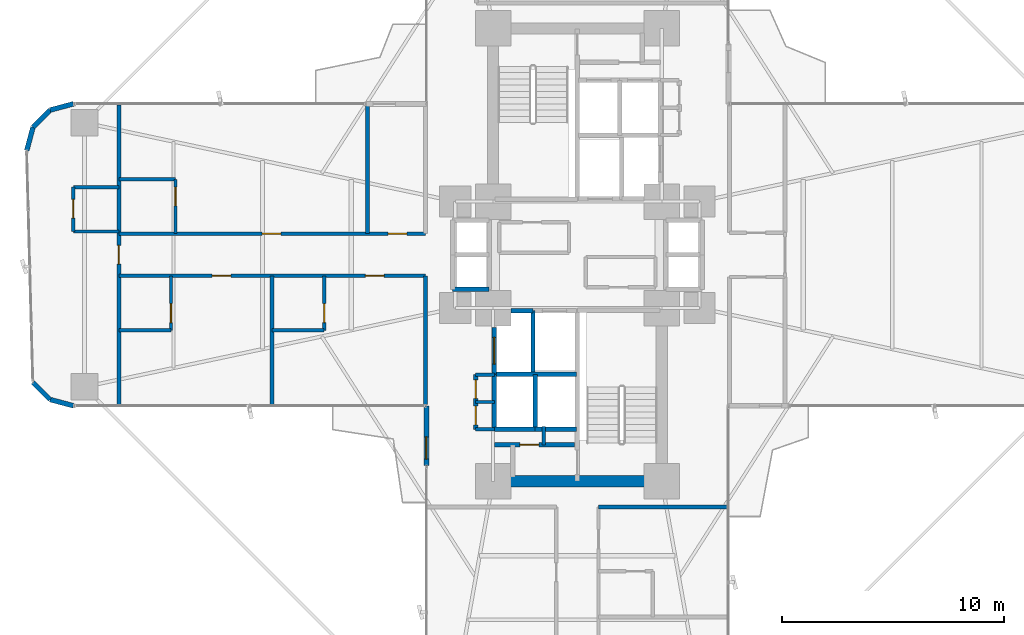
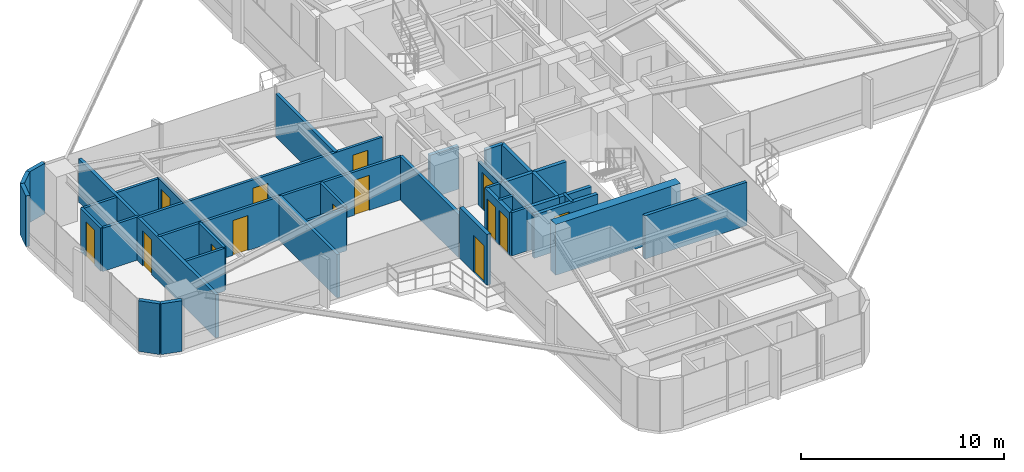
# One storey, part 22 of 26: 38 walls, 14 doors, 14 openings.
"""IFC4 building model written with IfcOpenShell, lengths in metres."""

from ifc_helpers import new_model, si_unit, direction, frame, frame_2d, origin, origin_2d, place, context, subcontext, project, spatial, rectangle, extrude, source, transform, mapped, material, layer, layer_set, type_object, element, fill, save


model = new_model("IFC4")

# Units and contexts
model_context = context("Model", 3, precision=1e-05, world=origin(), true_north=direction((0.0, 1.0)))
body_context = subcontext(model_context, "Body", "Model", "MODEL_VIEW")
ifc_project = project(units=[si_unit("LENGTHUNIT", "METRE"), si_unit("AREAUNIT", "SQUARE_METRE"), si_unit("VOLUMEUNIT", "CUBIC_METRE"), si_unit("PLANEANGLEUNIT", "RADIAN"), si_unit("MASSUNIT", "GRAM", prefix="KILO")], contexts=[model_context])

# Site, building, storey
site_placement = place(None, origin())
site = spatial("IfcSite", under=ifc_project, at=site_placement, CompositionType="ELEMENT")
building_placement = place(site_placement, origin())
building = spatial("IfcBuilding", under=site, at=building_placement, Name="Sahyath Konkavel Grand Hotel", CompositionType="ELEMENT")
storey_placement = place(building_placement, frame((0.0, 0.0, 43.199951171875)))
storey = spatial("IfcBuildingStorey", under=building, at=storey_placement, Name="L11", CompositionType="ELEMENT", Elevation=43.199951171875)

# Walls
ifc_material_1 = material(Name="Concrete C70/85", Category="concrete")
ifc_layer_1 = layer(ifc_material_1, 0.5)
ifc_layer_set_1 = layer_set([ifc_layer_1], Name="Concrete C70/85")
wall_type_1 = type_object("IfcWallType", Name="CWALL-500", PredefinedType="SHEAR", material=ifc_layer_set_1)
wall_1_placement = place(storey_placement, frame((-3.550048828125, -10.199951171875, 0.0), z_axis=(0.0, 0.0, 1.0), x_axis=(1.0, 0.0, 0.0)))
element("IfcWall", 1, at=wall_1_placement, inside=storey, type_object=wall_type_1, Name="L11 South Core Shear Wall S", PredefinedType="SHEAR", context=body_context, shape_type="SweptSolid", body=[
    extrude(rectangle(XDim=7.10009765625, YDim=0.5, at=frame_2d((3.550048828125, 0.0))), origin(), (0.0, 0.0, 1.0), 3.050048828125),
])
ifc_material_2 = material(Name="Warm Buff Sandstone Insulated Concrete C40/50", Category="masonry")
ifc_layer_2 = layer(ifc_material_2, 0.219970703125)
ifc_layer_set_2 = layer_set([ifc_layer_2], Name="Warm Buff Sandstone Insulated Concrete C40/50")
wall_type_2 = type_object("IfcWallType", Name="WLL-BALC-THRESH", PredefinedType="STANDARD", material=ifc_layer_set_2)
for number, where, z_axis, x_axis, name in (
    (2, (-22.699951171875, 6.800048828125, 0.0), (0.0, 0.0, 1.0), (-0.965951058412, -0.25872485917, 0.0), "L11 Rounded Corner Sandstone Pier 17"),
    (3, (-23.75, 6.518798828125, 0.0), (0.0, 0.0, 1.0), (-0.707106781187, -0.707106781187, 0.0), "L11 Rounded Corner Sandstone Pier 18"),
    (4, (-24.518798828125, 5.75, 0.0), (0.0, 0.0, 1.0), (-0.25872485917, -0.965951058412, 0.0), "L11 Rounded Corner Sandstone Pier 19"),
    (5, (-24.518798828125, -5.75, 0.0), (0.0, 0.0, 1.0), (0.707106781187, -0.707106781187, 0.0), "L11 Rounded Corner Sandstone Pier 21"),
    (6, (-23.75, -6.518798828125, 0.0), (0.0, 0.0, 1.0), (0.965951058412, -0.25872485917, 0.0), "L11 Rounded Corner Sandstone Pier 22"),
):
    element("IfcWall", number, at=place(storey_placement, frame(where, z_axis=z_axis, x_axis=x_axis)), inside=storey, type_object=wall_type_2, Name=name, PredefinedType="STANDARD", context=body_context, shape_type="SweptSolid", body=[
        extrude(rectangle(XDim=1.087158203125, YDim=0.219970703125, at=frame_2d((0.54345703125, 0.0))), origin(), (0.0, 0.0, 1.0), 3.050048828125),
    ])

# Wall, opening, door
wall_2_placement = place(storey_placement, frame((-6.800048828125, -6.800048828125, 0.0), z_axis=(0.0, 0.0, 1.0), x_axis=(0.0, -1.0, 0.0)))
wall_2 = element("IfcWall", 7, at=wall_2_placement, inside=storey, type_object=wall_type_2, Name="L11 Winter-Garden Threshold Wall 24", PredefinedType="STANDARD", context=body_context, shape_type="SweptSolid", body=[
    extrude(rectangle(XDim=2.699951171875, YDim=0.219970703125, at=frame_2d((1.35009765625, 0.0))), origin(), (0.0, 0.0, 1.0), 3.050048828125),
])
opening_1_placement = place(wall_2_placement, frame((1.39990234375, 0.0, 0.0)))
opening_1 = element("IfcOpeningElement", 8, at=opening_1_placement, cuts=wall_2, Name="Opening D-TR1", PredefinedType="OPENING", context=body_context, shape_type="SweptSolid", body=[
    extrude(rectangle(XDim=1.0, YDim=2.199951171875, at=frame_2d((0.5, 1.10009765625))), frame((0.0, 0.1201171875, 0.0), z_axis=(0.0, -1.0, 0.0), x_axis=(1.0, 0.0, 0.0)), (0.0, 0.0, 1.0), 0.239990234375),
])
ifc_material_3 = material(Name="Anodised Bronze Aluminium & Low-E Glazing", Category="aluminium")
door_type_1 = type_object("IfcDoorType", Name="DR-TERRACE-1000", OperationType="NOTDEFINED", PredefinedType="DOOR", material=ifc_material_3)
shared_shape_1 = source(origin(), body_context, "Body", "SweptSolid", [
    extrude(rectangle(XDim=1.0, YDim=0.050048828125, at=origin_2d()), origin(), (0.0, 0.0, 1.0), 2.199951171875),
])
door_1_placement = place(opening_1_placement, frame((0.5, 0.0, 0.0)))
door_1 = element("IfcDoor", 9, at=door_1_placement, inside=storey, type_object=door_type_1, Name="L11 Winter-Garden Terrace Door 24", OperationType="SINGLE_SWING_LEFT", OverallHeight=2.199951171875, OverallWidth=1.0, PredefinedType="DOOR", context=body_context, shape_type="MappedRepresentation", body=[
    mapped(shared_shape_1, transform((0.0, 0.0, 0.0), scale=1.0)),
])
fill(opening_1, door_1)

# Walls
ifc_material_4 = material(Name="Concrete C40/50", Category="concrete")
ifc_layer_3 = layer(ifc_material_4, 0.199951171875)
ifc_layer_set_3 = layer_set([ifc_layer_3], Name="Concrete C40/50")
wall_type_3 = type_object("IfcWallType", Name="WLL-CORE-200", PredefinedType="SOLIDWALL", material=ifc_layer_set_3)
wall_3_placement = place(storey_placement, frame((-2.0, -5.280029296875, 0.0), z_axis=(0.0, 0.0, 1.0), x_axis=(0.0, 1.0, 0.0)))
element("IfcWall", 10, at=wall_3_placement, inside=storey, type_object=wall_type_3, Name="L11 Partition SH-FFL2-W", PredefinedType="SOLIDWALL", context=body_context, shape_type="SweptSolid", body=[
    extrude(rectangle(XDim=2.780029296875, YDim=0.199951171875, at=frame_2d((1.39013671875, 0.0))), origin(), (0.0, 0.0, 1.0), 2.60009765625),
])
wall_4_placement = place(storey_placement, frame((-3.0, -2.52001953125, 0.0), z_axis=(0.0, 0.0, 1.0), x_axis=(1.0, 0.0, 0.0)))
element("IfcWall", 11, at=wall_4_placement, inside=storey, type_object=wall_type_3, Name="L11 Partition SH-SVL2-N", PredefinedType="SOLIDWALL", context=body_context, shape_type="SweptSolid", body=[
    extrude(rectangle(XDim=1.0, YDim=0.199951171875, at=frame_2d((0.5, 0.0))), origin(), (0.0, 0.0, 1.0), 2.60009765625),
])

# Wall, opening, door
wall_5_placement = place(storey_placement, frame((-3.739990234375, -5.360107421875, 0.0), z_axis=(0.0, 0.0, 1.0), x_axis=(0.0, 1.0, 0.0)))
wall_5 = element("IfcWall", 12, at=wall_5_placement, inside=storey, type_object=wall_type_3, Name="L11 Partition SH-SVL2-W", PredefinedType="SOLIDWALL", context=body_context, shape_type="SweptSolid", body=[
    extrude(rectangle(XDim=2.080078125, YDim=0.199951171875, at=frame_2d((1.0400390625, 0.0))), origin(), (0.0, 0.0, 1.0), 2.60009765625),
])
opening_2_placement = place(wall_5_placement, frame((0.43994140625, 0.0, 0.0)))
opening_2 = element("IfcOpeningElement", 13, at=opening_2_placement, cuts=wall_5, Name="Opening LD-12", PredefinedType="OPENING", context=body_context, shape_type="SweptSolid", body=[
    extrude(rectangle(XDim=1.199951171875, YDim=2.199951171875, at=frame_2d((0.60009765625, 1.10009765625))), frame((0.0, 0.10986328125, 0.0), z_axis=(0.0, -1.0, 0.0), x_axis=(1.0, 0.0, 0.0)), (0.0, 0.0, 1.0), 0.219970703125),
])
ifc_material_5 = material(Name="Stainless Steel Lift Landing Door 1200", Category="steel")
door_type_2 = type_object("IfcDoorType", Name="DR-LIFT-1200", OperationType="DOUBLE_DOOR_SLIDING", PredefinedType="DOOR", material=ifc_material_5)
shared_shape_2 = source(origin(), body_context, "Body", "SweptSolid", [
    extrude(rectangle(XDim=1.199951171875, YDim=0.050048828125, at=origin_2d()), origin(), (0.0, 0.0, 1.0), 2.199951171875),
])
door_2_placement = place(opening_2_placement, frame((0.60009765625, 0.0, 0.0)))
door_2 = element("IfcDoor", 14, at=door_2_placement, inside=storey, type_object=door_type_2, Name="L11 Service Lift SVL-2 Landing Door", OperationType="DOUBLE_DOOR_SLIDING", OverallHeight=2.199951171875, OverallWidth=1.199951171875, PredefinedType="DOOR", context=body_context, shape_type="MappedRepresentation", body=[
    mapped(shared_shape_2, transform((0.0, 0.0, 0.0), scale=1.0)),
])
fill(opening_2, door_2)

# Walls
wall_6_placement = place(storey_placement, frame((-3.739990234375, -7.860107421875, 0.0), z_axis=(0.0, 0.0, 1.0), x_axis=(0.0, 1.0, 0.0)))
element("IfcWall", 15, at=wall_6_placement, inside=storey, type_object=wall_type_3, Name="L11 Partition SH-PL3-W", PredefinedType="SOLIDWALL", context=body_context, shape_type="SweptSolid", body=[
    extrude(rectangle(XDim=2.480224609375, YDim=0.199951171875, at=frame_2d((1.240234375, 0.0))), origin(), (0.0, 0.0, 1.0), 2.60009765625),
])
wall_7_placement = place(storey_placement, frame((-3.739990234375, -7.860107421875, 0.0), z_axis=(0.0, 0.0, 1.0), x_axis=(1.0, 0.0, 0.0)))
element("IfcWall", 16, at=wall_7_placement, inside=storey, type_object=wall_type_3, Name="L11 Partition SH-PL3-S", PredefinedType="SOLIDWALL", context=body_context, shape_type="SweptSolid", body=[
    extrude(rectangle(XDim=1.840087890625, YDim=0.199951171875, at=frame_2d((0.919921875, 0.0))), origin(), (0.0, 0.0, 1.0), 2.60009765625),
])
wall_8_placement = place(storey_placement, frame((-3.739990234375, -5.3798828125, 0.0), z_axis=(0.0, 0.0, 1.0), x_axis=(1.0, 0.0, 0.0)))
element("IfcWall", 17, at=wall_8_placement, inside=storey, type_object=wall_type_3, Name="L11 Partition SH-PL34-N", PredefinedType="SOLIDWALL", context=body_context, shape_type="SweptSolid", body=[
    extrude(rectangle(XDim=3.68994140625, YDim=0.199951171875, at=frame_2d((1.844970703125, 0.0))), origin(), (0.0, 0.0, 1.0), 2.60009765625),
])
wall_9_placement = place(storey_placement, frame((-1.89990234375, -7.860107421875, 0.0), z_axis=(0.0, 0.0, 1.0), x_axis=(0.0, 1.0, 0.0)))
element("IfcWall", 18, at=wall_9_placement, inside=storey, type_object=wall_type_3, Name="L11 Partition SH-PL34-M", PredefinedType="SOLIDWALL", context=body_context, shape_type="SweptSolid", body=[
    extrude(rectangle(XDim=2.480224609375, YDim=0.199951171875, at=frame_2d((1.240234375, 0.0))), origin(), (0.0, 0.0, 1.0), 2.60009765625),
])
wall_10_placement = place(storey_placement, frame((-1.89990234375, -7.860107421875, 0.0), z_axis=(0.0, 0.0, 1.0), x_axis=(1.0, 0.0, 0.0)))
element("IfcWall", 19, at=wall_10_placement, inside=storey, type_object=wall_type_3, Name="L11 Partition SH-PL4-S", PredefinedType="SOLIDWALL", context=body_context, shape_type="SweptSolid", body=[
    extrude(rectangle(XDim=1.849853515625, YDim=0.199951171875, at=frame_2d((0.9248046875, 0.0))), origin(), (0.0, 0.0, 1.0), 2.60009765625),
])
wall_11_placement = place(storey_placement, frame((-5.6201171875, -1.56005859375, 0.0), z_axis=(0.0, 0.0, 1.0), x_axis=(1.0, 0.0, 0.0)))
element("IfcWall", 20, at=wall_11_placement, inside=storey, type_object=wall_type_3, Name="L11 Partition SH-SL12-S", PredefinedType="SOLIDWALL", context=body_context, shape_type="SweptSolid", body=[
    extrude(rectangle(XDim=1.64013671875, YDim=0.199951171875, at=frame_2d((0.820068359375, 0.0))), origin(), (0.0, 0.0, 1.0), 2.60009765625),
])

# Wall, opening, door
wall_12_placement = place(storey_placement, frame((-3.739990234375, -8.56005859375, 0.0), z_axis=(0.0, 0.0, 1.0), x_axis=(1.0, 0.0, 0.0)))
wall_12 = element("IfcWall", 21, at=wall_12_placement, inside=storey, type_object=wall_type_3, Name="L11 South FF Lobby Separation Wall", PredefinedType="SOLIDWALL", context=body_context, shape_type="SweptSolid", body=[
    extrude(rectangle(XDim=3.619873046875, YDim=0.199951171875, at=frame_2d((1.81005859375, 0.0))), origin(), (0.0, 0.0, 1.0), 2.60009765625),
])
opening_3_placement = place(wall_12_placement, frame((1.14990234375, 0.0, 0.0)))
opening_3 = element("IfcOpeningElement", 22, at=opening_3_placement, cuts=wall_12, Name="Opening D-F12D", PredefinedType="OPENING", context=body_context, shape_type="SweptSolid", body=[
    extrude(rectangle(XDim=0.85009765625, YDim=2.10009765625, at=frame_2d((0.425048828125, 1.050048828125))), frame((0.0, 0.10986328125, 0.0), z_axis=(0.0, -1.0, 0.0), x_axis=(1.0, 0.0, 0.0)), (0.0, 0.0, 1.0), 0.219970703125),
])
ifc_material_6 = material(Name="Steel E350 Core Fire Door", Category="steel")
door_type_3 = type_object("IfcDoorType", Name="DR-FD120-850", OperationType="NOTDEFINED", PredefinedType="DOOR", material=ifc_material_6)
shared_shape_3 = source(origin(), body_context, "Body", "SweptSolid", [
    extrude(rectangle(XDim=0.85009765625, YDim=0.050048828125, at=origin_2d()), origin(), (0.0, 0.0, 1.0), 2.10009765625),
])
door_3_placement = place(opening_3_placement, frame((0.425048828125, 0.0, 0.0)))
door_3 = element("IfcDoor", 23, at=door_3_placement, inside=storey, type_object=door_type_3, Name="L11 South Firefighting Lobby Door", OperationType="SINGLE_SWING_RIGHT", OverallHeight=2.10009765625, OverallWidth=0.85009765625, PredefinedType="DOOR", context=body_context, shape_type="MappedRepresentation", body=[
    mapped(shared_shape_3, transform((0.0, 0.0, 0.0), scale=1.0)),
])
fill(opening_3, door_3)

# Wall, openings, doors
wall_13_placement = place(storey_placement, frame((-4.580078125, -7.860107421875, 0.0), z_axis=(0.0, 0.0, 1.0), x_axis=(0.0, 1.0, 0.0)))
wall_13 = element("IfcWall", 24, at=wall_13_placement, inside=storey, type_object=wall_type_3, Name="L11 Partition SC-FLK-W", PredefinedType="SOLIDWALL", context=body_context, shape_type="SweptSolid", body=[
    extrude(rectangle(XDim=2.460205078125, YDim=0.199951171875, at=frame_2d((1.22998046875, 0.0))), origin(), (0.0, 0.0, 1.0), 2.60009765625),
])
opening_4_placement = place(wall_13_placement, frame((0.199951171875, 0.0, 0.0)))
opening_4 = element("IfcOpeningElement", 25, at=opening_4_placement, cuts=wall_13, Name="Opening D-F06D", PredefinedType="OPENING", context=body_context, shape_type="SweptSolid", body=[
    extrude(rectangle(XDim=0.85009765625, YDim=2.10009765625, at=frame_2d((0.425048828125, 1.050048828125))), frame((0.0, 0.10986328125, 0.0), z_axis=(0.0, -1.0, 0.0), x_axis=(1.0, 0.0, 0.0)), (0.0, 0.0, 1.0), 0.219970703125),
])
opening_5_placement = place(wall_13_placement, frame((1.3798828125, 0.0, 0.0)))
opening_5 = element("IfcOpeningElement", 26, at=opening_5_placement, cuts=wall_13, Name="Opening D-F06D", PredefinedType="OPENING", context=body_context, shape_type="SweptSolid", body=[
    extrude(rectangle(XDim=0.85009765625, YDim=2.10009765625, at=frame_2d((0.425048828125, 1.050048828125))), frame((0.0, 0.10986328125, 0.0), z_axis=(0.0, -1.0, 0.0), x_axis=(1.0, 0.0, 0.0)), (0.0, 0.0, 1.0), 0.219970703125),
])
ifc_material_7 = material(Name="Fire-Rated Shaft Access Door")
door_type_4 = type_object("IfcDoorType", Name="DR-FD60-850", OperationType="NOTDEFINED", PredefinedType="DOOR", material=ifc_material_7)
door_4_placement = place(opening_4_placement, frame((0.425048828125, 0.0, 0.0)))
door_4 = element("IfcDoor", 27, at=door_4_placement, inside=storey, type_object=door_type_4, Name="L11 Door SC-FLK1-D", OperationType="SINGLE_SWING_RIGHT", OverallHeight=2.10009765625, OverallWidth=0.85009765625, PredefinedType="DOOR", context=body_context, shape_type="MappedRepresentation", body=[
    mapped(shared_shape_3, transform((0.0, 0.0, 0.0), scale=1.0)),
])
fill(opening_4, door_4)
door_5_placement = place(opening_5_placement, frame((0.425048828125, 0.0, 0.0)))
door_5 = element("IfcDoor", 28, at=door_5_placement, inside=storey, type_object=door_type_4, Name="L11 Door SC-FLK2-D", OperationType="SINGLE_SWING_LEFT", OverallHeight=2.10009765625, OverallWidth=0.85009765625, PredefinedType="DOOR", context=body_context, shape_type="MappedRepresentation", body=[
    mapped(shared_shape_3, transform((0.0, 0.0, 0.0), scale=1.0)),
])
fill(opening_5, door_5)

# Walls
ifc_material_8 = material(Name="Twin-Stud Acoustic Gypsum Plasterboard Partition")
ifc_layer_4 = layer(ifc_material_8, 0.179931640625)
ifc_layer_set_4 = layer_set([ifc_layer_4], Name="Twin-Stud Acoustic Gypsum Plasterboard Partition")
wall_type_4 = type_object("IfcWallType", Name="WLL-DEMISE-180", PredefinedType="PARTITIONING", material=ifc_layer_set_4)
for number, where, z_axis, x_axis, name in (
    (29, (-6.85009765625, -0.949951171875, 0.0), (0.0, 0.0, 1.0), (0.0, -1.0, 0.0), "L11 Partition W-INL"),
    (30, (-13.75, -0.949951171875, 0.0), (0.0, 0.0, 1.0), (0.0, -1.0, 0.0), "L11 Partition W-W4L1-DEM"),
    (31, (-9.449951171875, 0.949951171875, 0.0), (0.0, 0.0, 1.0), (0.0, 1.0, 0.0), "L11 Partition W-WHK-DEM"),
):
    element("IfcWall", number, at=place(storey_placement, frame(where, z_axis=z_axis, x_axis=x_axis)), inside=storey, type_object=wall_type_4, Name=name, PredefinedType="PARTITIONING", context=body_context, shape_type="SweptSolid", body=[
        extrude(rectangle(XDim=5.800048828125, YDim=0.179931640625, at=frame_2d((2.89990234375, 0.0))), origin(), (0.0, 0.0, 1.0), 2.60009765625),
    ])

# Wall, opening, door
wall_14_placement = place(storey_placement, frame((-20.64990234375, 6.75, 0.0), z_axis=(0.0, 0.0, 1.0), x_axis=(0.0, -1.0, 0.0)))
wall_14 = element("IfcWall", 32, at=wall_14_placement, inside=storey, type_object=wall_type_4, Name="L11 Partition W-WTIP-END", PredefinedType="PARTITIONING", context=body_context, shape_type="SweptSolid", body=[
    extrude(rectangle(XDim=13.5, YDim=0.179931640625, at=frame_2d((6.75, 0.0))), origin(), (0.0, 0.0, 1.0), 2.60009765625),
])
opening_6_placement = place(wall_14_placement, frame((6.324951171875, 0.0, 0.0)))
opening_6 = element("IfcOpeningElement", 33, at=opening_6_placement, cuts=wall_14, Name="Opening D-F06D", PredefinedType="OPENING", context=body_context, shape_type="SweptSolid", body=[
    extrude(rectangle(XDim=0.85009765625, YDim=2.10009765625, at=frame_2d((0.425048828125, 1.050048828125))), frame((0.0, 0.10009765625, 0.0), z_axis=(0.0, -1.0, 0.0), x_axis=(1.0, 0.0, 0.0)), (0.0, 0.0, 1.0), 0.199951171875),
])
door_6_placement = place(opening_6_placement, frame((0.425048828125, 0.0, 0.0)))
door_6 = element("IfcDoor", 34, at=door_6_placement, inside=storey, type_object=door_type_4, Name="L11 Door W-WTIP-ED", OperationType="SINGLE_SWING_LEFT", OverallHeight=2.10009765625, OverallWidth=0.85009765625, PredefinedType="DOOR", context=body_context, shape_type="MappedRepresentation", body=[
    mapped(shared_shape_3, transform((0.0, 0.0, 0.0), scale=1.0)),
])
fill(opening_6, door_6)

# Walls
wall_15_placement = place(storey_placement, frame((0.949951171875, -11.35009765625, 0.0), z_axis=(0.0, 0.0, 1.0), x_axis=(1.0, 0.0, 0.0)))
element("IfcWall", 35, at=wall_15_placement, inside=storey, type_object=wall_type_4, Name="L11 Partition S-INL", PredefinedType="PARTITIONING", context=body_context, shape_type="SweptSolid", body=[
    extrude(rectangle(XDim=5.800048828125, YDim=0.179931640625, at=frame_2d((2.89990234375, 0.0))), origin(), (0.0, 0.0, 1.0), 2.60009765625),
])
ifc_material_9 = material(Name="Fire-Rated Gypsum Plasterboard Partition")
ifc_layer_5 = layer(ifc_material_9, 0.14990234375)
ifc_layer_set_5 = layer_set([ifc_layer_5], Name="Fire-Rated Gypsum Plasterboard Partition")
wall_type_5 = type_object("IfcWallType", Name="WLL-PART-150", PredefinedType="PARTITIONING", material=ifc_layer_set_5)
wall_16_placement = place(storey_placement, frame((-1.52001953125, -8.56005859375, 0.0), z_axis=(0.0, 0.0, 1.0), x_axis=(0.0, 1.0, 0.0)))
element("IfcWall", 36, at=wall_16_placement, inside=storey, type_object=wall_type_5, Name="L11 Partition SC-VST-E", PredefinedType="PARTITIONING", context=body_context, shape_type="SweptSolid", body=[
    extrude(rectangle(XDim=0.820068359375, YDim=0.14990234375, at=frame_2d((0.41015625, 0.0))), origin(), (0.0, 0.0, 1.0), 2.60009765625),
])
for number, where, z_axis, x_axis, name in (
    (37, (-4.580078125, -5.39990234375, 0.0), (0.0, 0.0, 1.0), (1.0, 0.0, 0.0), "L11 Partition SC-FLK-N"),
    (38, (-4.580078125, -7.860107421875, 0.0), (0.0, 0.0, 1.0), (1.0, 0.0, 0.0), "L11 Partition SC-FLK-S"),
    (39, (-4.580078125, -6.6298828125, 0.0), (0.0, 0.0, 1.0), (1.0, 0.0, 0.0), "L11 Partition SC-FLK-M"),
):
    element("IfcWall", number, at=place(storey_placement, frame(where, z_axis=z_axis, x_axis=x_axis)), inside=storey, type_object=wall_type_5, Name=name, PredefinedType="PARTITIONING", context=body_context, shape_type="SweptSolid", body=[
        extrude(rectangle(XDim=0.840087890625, YDim=0.14990234375, at=frame_2d((0.419921875, 0.0))), origin(), (0.0, 0.0, 1.0), 2.60009765625),
    ])

# Wall, openings, doors
wall_17_placement = place(storey_placement, frame((-6.85009765625, -0.949951171875, 0.0), z_axis=(0.0, 0.0, 1.0), x_axis=(-1.0, 0.0, 0.0)))
wall_17 = element("IfcWall", 40, at=wall_17_placement, inside=storey, type_object=wall_type_5, Name="L11 Partition W-CL", PredefinedType="PARTITIONING", context=body_context, shape_type="SweptSolid", body=[
    extrude(rectangle(XDim=13.7998046875, YDim=0.14990234375, at=frame_2d((6.89990234375, 0.0))), origin(), (0.0, 0.0, 1.0), 2.60009765625),
])
opening_7_placement = place(wall_17_placement, frame((1.85205078125, 0.0, 0.0)))
opening_7 = element("IfcOpeningElement", 41, at=opening_7_placement, cuts=wall_17, Name="Opening D-F06D", PredefinedType="OPENING", context=body_context, shape_type="SweptSolid", body=[
    extrude(rectangle(XDim=0.85009765625, YDim=2.10009765625, at=frame_2d((0.425048828125, 1.050048828125))), frame((0.0, 0.0849609375, 0.0), z_axis=(0.0, -1.0, 0.0), x_axis=(1.0, 0.0, 0.0)), (0.0, 0.0, 1.0), 0.169921875),
])
opening_8_placement = place(wall_17_placement, frame((8.751953125, 0.0, 0.0)))
opening_8 = element("IfcOpeningElement", 42, at=opening_8_placement, cuts=wall_17, Name="Opening D-F06D", PredefinedType="OPENING", context=body_context, shape_type="SweptSolid", body=[
    extrude(rectangle(XDim=0.85009765625, YDim=2.10009765625, at=frame_2d((0.425048828125, 1.050048828125))), frame((0.0, 0.0849609375, 0.0), z_axis=(0.0, -1.0, 0.0), x_axis=(1.0, 0.0, 0.0)), (0.0, 0.0, 1.0), 0.169921875),
])
door_7_placement = place(opening_7_placement, frame((0.425048828125, 0.0, 0.0)))
door_7 = element("IfcDoor", 43, at=door_7_placement, inside=storey, type_object=door_type_4, Name="L11 Door W-W4L1-ED", OperationType="SINGLE_SWING_RIGHT", OverallHeight=2.10009765625, OverallWidth=0.85009765625, PredefinedType="DOOR", context=body_context, shape_type="MappedRepresentation", body=[
    mapped(shared_shape_3, transform((0.0, 0.0, 0.0), scale=1.0)),
])
fill(opening_7, door_7)
door_8_placement = place(opening_8_placement, frame((0.425048828125, 0.0, 0.0)))
door_8 = element("IfcDoor", 44, at=door_8_placement, inside=storey, type_object=door_type_4, Name="L11 Door W-W4L2-ED", OperationType="SINGLE_SWING_RIGHT", OverallHeight=2.10009765625, OverallWidth=0.85009765625, PredefinedType="DOOR", context=body_context, shape_type="MappedRepresentation", body=[
    mapped(shared_shape_3, transform((0.0, 0.0, 0.0), scale=1.0)),
])
fill(opening_8, door_8)

wall_18_placement = place(storey_placement, frame((-6.85009765625, 0.949951171875, 0.0), z_axis=(0.0, 0.0, 1.0), x_axis=(-1.0, 0.0, 0.0)))
wall_18 = element("IfcWall", 45, at=wall_18_placement, inside=storey, type_object=wall_type_5, Name="L11 Partition W-CR", PredefinedType="PARTITIONING", context=body_context, shape_type="SweptSolid", body=[
    extrude(rectangle(XDim=13.7998046875, YDim=0.14990234375, at=frame_2d((6.89990234375, 0.0))), origin(), (0.0, 0.0, 1.0), 2.60009765625),
])
opening_9_placement = place(wall_18_placement, frame((0.824951171875, 0.0, 0.0)))
opening_9 = element("IfcOpeningElement", 46, at=opening_9_placement, cuts=wall_18, Name="Opening D-F06D", PredefinedType="OPENING", context=body_context, shape_type="SweptSolid", body=[
    extrude(rectangle(XDim=0.85009765625, YDim=2.10009765625, at=frame_2d((0.425048828125, 1.050048828125))), frame((0.0, 0.0849609375, 0.0), z_axis=(0.0, -1.0, 0.0), x_axis=(1.0, 0.0, 0.0)), (0.0, 0.0, 1.0), 0.169921875),
])
opening_10_placement = place(wall_18_placement, frame((6.5, 0.0, 0.0)))
opening_10 = element("IfcOpeningElement", 47, at=opening_10_placement, cuts=wall_18, Name="Opening D-F06D", PredefinedType="OPENING", context=body_context, shape_type="SweptSolid", body=[
    extrude(rectangle(XDim=0.85009765625, YDim=2.10009765625, at=frame_2d((0.425048828125, 1.050048828125))), frame((0.0, 0.0849609375, 0.0), z_axis=(0.0, -1.0, 0.0), x_axis=(1.0, 0.0, 0.0)), (0.0, 0.0, 1.0), 0.169921875),
])
door_9_placement = place(opening_9_placement, frame((0.425048828125, 0.0, 0.0)))
door_9 = element("IfcDoor", 48, at=door_9_placement, inside=storey, type_object=door_type_4, Name="L11 Door W-WHK-D", OperationType="SINGLE_SWING_LEFT", OverallHeight=2.10009765625, OverallWidth=0.85009765625, PredefinedType="DOOR", context=body_context, shape_type="MappedRepresentation", body=[
    mapped(shared_shape_3, transform((0.0, 0.0, 0.0), scale=1.0)),
])
fill(opening_9, door_9)
door_10_placement = place(opening_10_placement, frame((0.425048828125, 0.0, 0.0)))
door_10 = element("IfcDoor", 49, at=door_10_placement, inside=storey, type_object=door_type_4, Name="L11 Door W-W4R2-ED", OperationType="SINGLE_SWING_LEFT", OverallHeight=2.10009765625, OverallWidth=0.85009765625, PredefinedType="DOOR", context=body_context, shape_type="MappedRepresentation", body=[
    mapped(shared_shape_3, transform((0.0, 0.0, 0.0), scale=1.0)),
])
fill(opening_10, door_10)

# Wall, opening, door
wall_19_placement = place(storey_placement, frame((-11.404052734375, -0.949951171875, 0.0), z_axis=(0.0, 0.0, 1.0), x_axis=(0.0, -1.0, 0.0)))
wall_19 = element("IfcWall", 50, at=wall_19_placement, inside=storey, type_object=wall_type_5, Name="L11 Partition W-W4L1-BS", PredefinedType="PARTITIONING", context=body_context, shape_type="SweptSolid", body=[
    extrude(rectangle(XDim=2.449951171875, YDim=0.14990234375, at=frame_2d((1.22509765625, 0.0))), origin(), (0.0, 0.0, 1.0), 2.60009765625),
])
opening_11_placement = place(wall_19_placement, frame((1.25, 0.0, 0.0)))
opening_11 = element("IfcOpeningElement", 51, at=opening_11_placement, cuts=wall_19, Name="Opening D-BT85", PredefinedType="OPENING", context=body_context, shape_type="SweptSolid", body=[
    extrude(rectangle(XDim=0.85009765625, YDim=2.10009765625, at=frame_2d((0.425048828125, 1.050048828125))), frame((0.0, 0.0849609375, 0.0), z_axis=(0.0, -1.0, 0.0), x_axis=(1.0, 0.0, 0.0)), (0.0, 0.0, 1.0), 0.169921875),
])
ifc_material_10 = material(Name="Moisture-Resistant Teak Bathroom Door")
door_type_5 = type_object("IfcDoorType", Name="DR-BATH-850", OperationType="NOTDEFINED", PredefinedType="DOOR", material=ifc_material_10)
door_11_placement = place(opening_11_placement, frame((0.425048828125, 0.0, 0.0)))
door_11 = element("IfcDoor", 52, at=door_11_placement, inside=storey, type_object=door_type_5, Name="L11 Door W-W4L1-BD", OperationType="SINGLE_SWING_LEFT", OverallHeight=2.10009765625, OverallWidth=0.85009765625, PredefinedType="DOOR", context=body_context, shape_type="MappedRepresentation", body=[
    mapped(shared_shape_3, transform((0.0, 0.0, 0.0), scale=1.0)),
])
fill(opening_11, door_11)

# Wall
wall_20_placement = place(storey_placement, frame((-11.404052734375, -3.39990234375, 0.0), z_axis=(0.0, 0.0, 1.0), x_axis=(-1.0, 0.0, 0.0)))
element("IfcWall", 53, at=wall_20_placement, inside=storey, type_object=wall_type_5, Name="L11 Partition W-W4L1-BF", PredefinedType="PARTITIONING", context=body_context, shape_type="SweptSolid", body=[
    extrude(rectangle(XDim=2.345947265625, YDim=0.14990234375, at=frame_2d((1.1728515625, 0.0))), origin(), (0.0, 0.0, 1.0), 2.570068359375),
])

# Wall, opening, door
wall_21_placement = place(storey_placement, frame((-18.303955078125, -0.949951171875, 0.0), z_axis=(0.0, 0.0, 1.0), x_axis=(0.0, -1.0, 0.0)))
wall_21 = element("IfcWall", 54, at=wall_21_placement, inside=storey, type_object=wall_type_5, Name="L11 Partition W-W4L2-BS", PredefinedType="PARTITIONING", context=body_context, shape_type="SweptSolid", body=[
    extrude(rectangle(XDim=2.449951171875, YDim=0.14990234375, at=frame_2d((1.22509765625, 0.0))), origin(), (0.0, 0.0, 1.0), 2.60009765625),
])
opening_12_placement = place(wall_21_placement, frame((1.25, 0.0, 0.0)))
opening_12 = element("IfcOpeningElement", 55, at=opening_12_placement, cuts=wall_21, Name="Opening D-BT85", PredefinedType="OPENING", context=body_context, shape_type="SweptSolid", body=[
    extrude(rectangle(XDim=0.85009765625, YDim=2.10009765625, at=frame_2d((0.425048828125, 1.050048828125))), frame((0.0, 0.0849609375, 0.0), z_axis=(0.0, -1.0, 0.0), x_axis=(1.0, 0.0, 0.0)), (0.0, 0.0, 1.0), 0.169921875),
])
door_12_placement = place(opening_12_placement, frame((0.425048828125, 0.0, 0.0)))
door_12 = element("IfcDoor", 56, at=door_12_placement, inside=storey, type_object=door_type_5, Name="L11 Door W-W4L2-BD", OperationType="SINGLE_SWING_LEFT", OverallHeight=2.10009765625, OverallWidth=0.85009765625, PredefinedType="DOOR", context=body_context, shape_type="MappedRepresentation", body=[
    mapped(shared_shape_3, transform((0.0, 0.0, 0.0), scale=1.0)),
])
fill(opening_12, door_12)

# Wall
wall_22_placement = place(storey_placement, frame((-18.303955078125, -3.39990234375, 0.0), z_axis=(0.0, 0.0, 1.0), x_axis=(-1.0, 0.0, 0.0)))
element("IfcWall", 57, at=wall_22_placement, inside=storey, type_object=wall_type_5, Name="L11 Partition W-W4L2-BF", PredefinedType="PARTITIONING", context=body_context, shape_type="SweptSolid", body=[
    extrude(rectangle(XDim=2.345947265625, YDim=0.14990234375, at=frame_2d((1.1728515625, 0.0))), origin(), (0.0, 0.0, 1.0), 2.570068359375),
])

# Wall, opening, door
wall_23_placement = place(storey_placement, frame((-18.10009765625, 0.949951171875, 0.0), z_axis=(0.0, 0.0, 1.0), x_axis=(0.0, 1.0, 0.0)))
wall_23 = element("IfcWall", 58, at=wall_23_placement, inside=storey, type_object=wall_type_5, Name="L11 Partition W-W4R2-BS", PredefinedType="PARTITIONING", context=body_context, shape_type="SweptSolid", body=[
    extrude(rectangle(XDim=2.449951171875, YDim=0.14990234375, at=frame_2d((1.22509765625, 0.0))), origin(), (0.0, 0.0, 1.0), 2.60009765625),
])
opening_13_placement = place(wall_23_placement, frame((1.25, 0.0, 0.0)))
opening_13 = element("IfcOpeningElement", 59, at=opening_13_placement, cuts=wall_23, Name="Opening D-BT85", PredefinedType="OPENING", context=body_context, shape_type="SweptSolid", body=[
    extrude(rectangle(XDim=0.85009765625, YDim=2.10009765625, at=frame_2d((0.425048828125, 1.050048828125))), frame((0.0, 0.0849609375, 0.0), z_axis=(0.0, -1.0, 0.0), x_axis=(1.0, 0.0, 0.0)), (0.0, 0.0, 1.0), 0.169921875),
])
door_13_placement = place(opening_13_placement, frame((0.425048828125, 0.0, 0.0)))
door_13 = element("IfcDoor", 60, at=door_13_placement, inside=storey, type_object=door_type_5, Name="L11 Door W-W4R2-BD", OperationType="SINGLE_SWING_RIGHT", OverallHeight=2.10009765625, OverallWidth=0.85009765625, PredefinedType="DOOR", context=body_context, shape_type="MappedRepresentation", body=[
    mapped(shared_shape_3, transform((0.0, 0.0, 0.0), scale=1.0)),
])
fill(opening_13, door_13)

# Walls
wall_24_placement = place(storey_placement, frame((-18.10009765625, 3.39990234375, 0.0), z_axis=(0.0, 0.0, 1.0), x_axis=(-1.0, 0.0, 0.0)))
element("IfcWall", 61, at=wall_24_placement, inside=storey, type_object=wall_type_5, Name="L11 Partition W-W4R2-BF", PredefinedType="PARTITIONING", context=body_context, shape_type="SweptSolid", body=[
    extrude(rectangle(XDim=2.5498046875, YDim=0.14990234375, at=frame_2d((1.27490234375, 0.0))), origin(), (0.0, 0.0, 1.0), 2.570068359375),
])
wall_25_placement = place(storey_placement, frame((-20.64990234375, 1.050048828125, 0.0), z_axis=(0.0, 0.0, 1.0), x_axis=(-1.0, 0.0, 0.0)))
element("IfcWall", 62, at=wall_25_placement, inside=storey, type_object=wall_type_5, Name="L11 Partition W-WTIP-BN", PredefinedType="PARTITIONING", context=body_context, shape_type="SweptSolid", body=[
    extrude(rectangle(XDim=2.050048828125, YDim=0.14990234375, at=frame_2d((1.02490234375, 0.0))), origin(), (0.0, 0.0, 1.0), 2.60009765625),
])
wall_26_placement = place(storey_placement, frame((-20.64990234375, 3.050048828125, 0.0), z_axis=(0.0, 0.0, 1.0), x_axis=(-1.0, 0.0, 0.0)))
element("IfcWall", 63, at=wall_26_placement, inside=storey, type_object=wall_type_5, Name="L11 Partition W-WTIP-BS", PredefinedType="PARTITIONING", context=body_context, shape_type="SweptSolid", body=[
    extrude(rectangle(XDim=2.050048828125, YDim=0.14990234375, at=frame_2d((1.02490234375, 0.0))), origin(), (0.0, 0.0, 1.0), 2.570068359375),
])

# Wall, opening, door
wall_27_placement = place(storey_placement, frame((-22.699951171875, 3.050048828125, 0.0), z_axis=(0.0, 0.0, 1.0), x_axis=(0.0, -1.0, 0.0)))
wall_27 = element("IfcWall", 64, at=wall_27_placement, inside=storey, type_object=wall_type_5, Name="L11 Partition W-WTIP-BE", PredefinedType="PARTITIONING", context=body_context, shape_type="SweptSolid", body=[
    extrude(rectangle(XDim=2.0, YDim=0.14990234375, at=frame_2d((1.0, 0.0))), origin(), (0.0, 0.0, 1.0), 2.60009765625),
])
opening_14_placement = place(wall_27_placement, frame((0.550048828125, 0.0, 0.0)))
opening_14 = element("IfcOpeningElement", 65, at=opening_14_placement, cuts=wall_27, Name="Opening D-BT85", PredefinedType="OPENING", context=body_context, shape_type="SweptSolid", body=[
    extrude(rectangle(XDim=0.85009765625, YDim=2.10009765625, at=frame_2d((0.425048828125, 1.050048828125))), frame((0.0, 0.0849609375, 0.0), z_axis=(0.0, -1.0, 0.0), x_axis=(1.0, 0.0, 0.0)), (0.0, 0.0, 1.0), 0.169921875),
])
door_14_placement = place(opening_14_placement, frame((0.425048828125, 0.0, 0.0)))
door_14 = element("IfcDoor", 66, at=door_14_placement, inside=storey, type_object=door_type_5, Name="L11 Door W-WTIP-BD", OperationType="SINGLE_SWING_RIGHT", OverallHeight=2.10009765625, OverallWidth=0.85009765625, PredefinedType="DOOR", context=body_context, shape_type="MappedRepresentation", body=[
    mapped(shared_shape_3, transform((0.0, 0.0, 0.0), scale=1.0)),
])
fill(opening_14, door_14)

save(model, "model.ifc")
